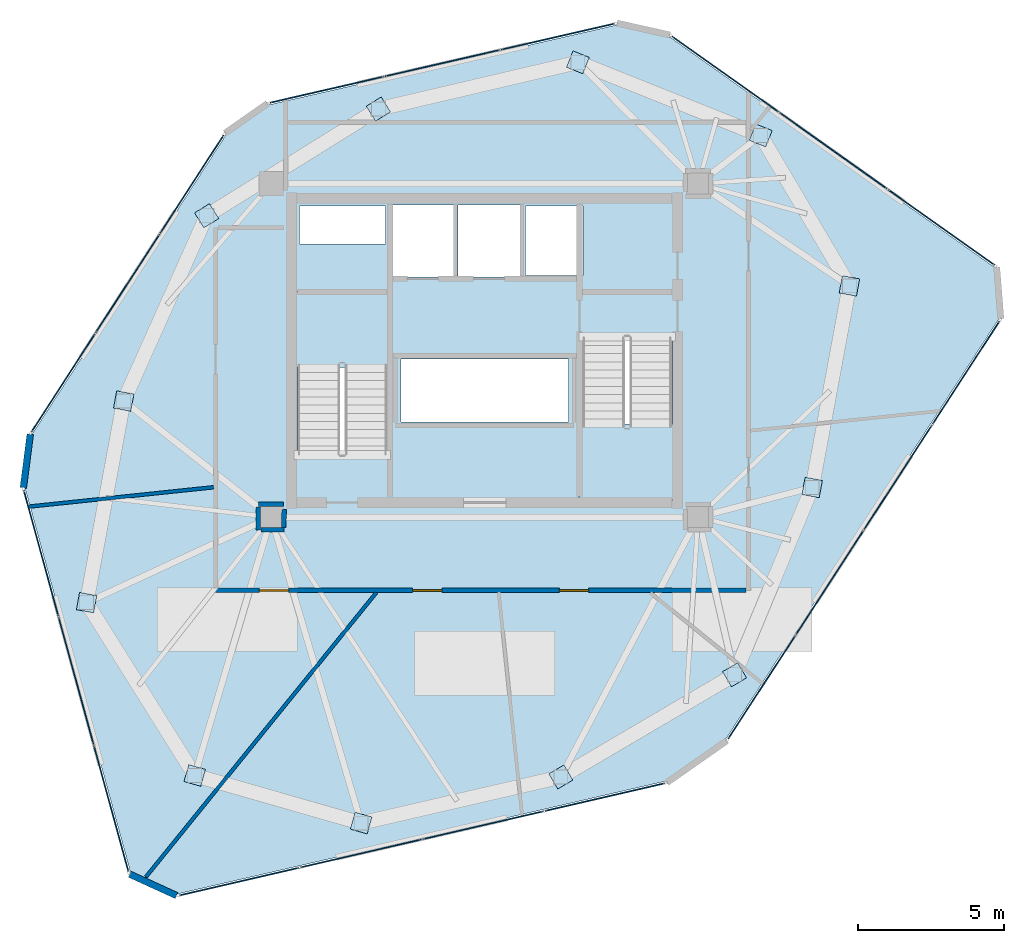
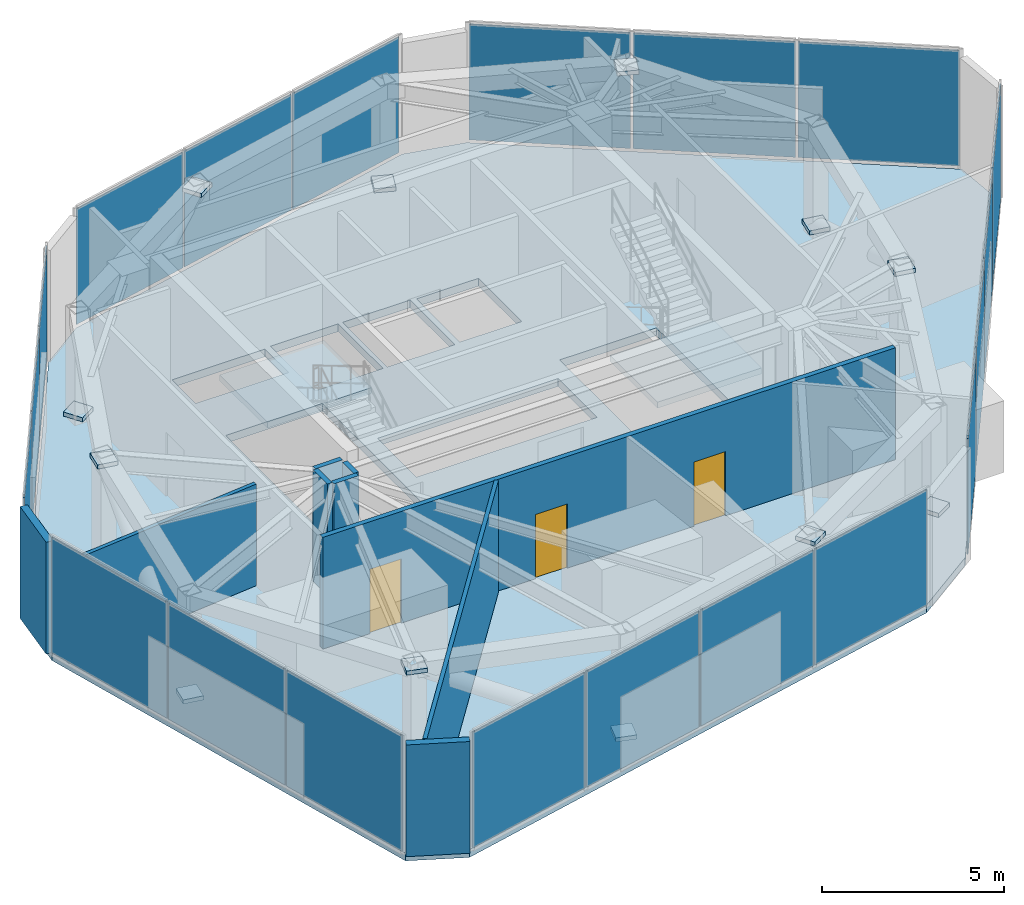
# One storey, part 17 of 21: 32 plates, 9 walls, 3 doors, 3 slabs, 3 openings, 8 elements without a shape of their own.
"""IFC4 building model written with IfcOpenShell, lengths in metres."""

from ifc_helpers import new_model, si_unit, direction, frame, frame_2d, origin, origin_2d, place, context, subcontext, project, spatial, polyline, rectangle, outline, extrude, source, transform, mapped, material, layer, layer_set, type_object, type_shapes, element, fill, aggregate, save


model = new_model("IFC4")

# Units and contexts
model_context = context("Model", 3, precision=1e-05, world=origin(), true_north=direction((0.0, 1.0)))
body_context = subcontext(model_context, "Body", "Model", "MODEL_VIEW")
ifc_project = project(units=[si_unit("LENGTHUNIT", "METRE"), si_unit("AREAUNIT", "SQUARE_METRE"), si_unit("VOLUMEUNIT", "CUBIC_METRE"), si_unit("PLANEANGLEUNIT", "RADIAN"), si_unit("MASSUNIT", "GRAM", prefix="KILO")], contexts=[model_context])

# Site, building, storey
site_placement = place(None, origin())
site = spatial("IfcSite", under=ifc_project, at=site_placement, CompositionType="ELEMENT")
building_placement = place(site_placement, origin())
building = spatial("IfcBuilding", under=site, at=building_placement, Name="Talar Marvaseh", CompositionType="ELEMENT")
storey_placement = place(building_placement, frame((0.0, 0.0, 304.0)))
storey = spatial("IfcBuildingStorey", under=building, at=storey_placement, Name="L81", CompositionType="ELEMENT", Elevation=304.0)

# Stair, slab
ifc_material_1 = material(Name="Concrete C40/50", Category="concrete")
stair_type = type_object("IfcStairType", Name="Reinforced Concrete High-Rise Exit Stair Type C", PredefinedType="HALF_TURN_STAIR", material=ifc_material_1)
stair_1_placement = place(storey_placement, origin())
stair_1 = element("IfcStair", 1, at=stair_1_placement, inside=storey, type_object=stair_type, Name="L81 Tower West Core Exit Stair", PredefinedType="HALF_TURN_STAIR")
ifc_layer_1 = layer(ifc_material_1, 0.199951171875)
ifc_layer_set_1 = layer_set([ifc_layer_1], Name="Concrete C40/50")
slab_type_1 = type_object("IfcSlabType", Name="Reinforced Concrete Stair Half-Landing Slab 200", PredefinedType="LANDING", material=ifc_layer_set_1)
slab_1_placement = place(storey_placement, frame((0.0, 0.0, 1.800048828125)))
slab_1 = element("IfcSlab", 2, at=slab_1_placement, type_object=slab_type_1, Name="ST-1 landing 1", PredefinedType="LANDING", context=body_context, shape_type="SweptSolid", body=[
    extrude(outline(polyline([(22.780029296875, 30.610107421875), (22.780029296875, 33.219970703125), (19.47998046875, 33.219970703125), (19.47998046875, 30.610107421875), (22.780029296875, 30.610107421875)])), origin(), (0.0, 0.0, 1.0), 0.199951171875),
])
aggregate(stair_1, [slab_1])

stair_2_placement = place(storey_placement, origin())
stair_2 = element("IfcStair", 3, at=stair_2_placement, inside=storey, type_object=stair_type, Name="L81 Tower East Core Exit Stair", PredefinedType="HALF_TURN_STAIR")
slab_2_placement = place(storey_placement, frame((0.0, 0.0, 1.800048828125)))
slab_2 = element("IfcSlab", 4, at=slab_2_placement, type_object=slab_type_1, Name="ST-2 landing 1", PredefinedType="LANDING", context=body_context, shape_type="SweptSolid", body=[
    extrude(outline(polyline([(29.219970703125, 28.68994140625), (29.219970703125, 26.080078125), (32.52001953125, 26.080078125), (32.52001953125, 28.68994140625), (29.219970703125, 28.68994140625)])), origin(), (0.0, 0.0, 1.0), 0.199951171875),
])
aggregate(stair_2, [slab_2])

# Slab
ifc_layer_2 = layer(ifc_material_1, 0.260009765625)
ifc_layer_set_2 = layer_set([ifc_layer_2], Name="Concrete C40/50")
slab_type_2 = type_object("IfcSlabType", Name="Structural Suspended Floor Slab 260", PredefinedType="FLOOR", material=ifc_layer_set_2)
slab_3_placement = place(storey_placement, frame((0.0, 0.0, -0.260009765625)))
element("IfcSlab", 5, at=slab_3_placement, inside=storey, type_object=slab_type_2, Name="L81 Tower Floor Slab", PredefinedType="FLOOR", context=body_context, shape_type="SweptSolid", body=[
    extrude(outline(polyline([(15.48974609375, 12.6123046875), (13.890869140625, 13.343505859375), (10.282470703125, 26.491943359375), (10.520751953125, 28.3330078125), (17.156494140625, 38.57763671875), (18.614990234375, 39.59912109375), (30.511474609375, 42.33056640625), (32.322998046875, 41.9248046875), (43.4443359375, 34.037109375), (43.584716796875, 32.28466796875), (34.244384765625, 17.906982421875), (32.194580078125, 16.4716796875), (15.48974609375, 12.6123046875)]), holes=[polyline([(22.659912109375, 27.64990234375), (22.659912109375, 33.10009765625), (19.60009765625, 33.10009765625), (19.60009765625, 27.64990234375), (22.659912109375, 27.64990234375)]), polyline([(29.340087890625, 31.64990234375), (29.340087890625, 26.199951171875), (32.39990234375, 26.199951171875), (32.39990234375, 31.64990234375), (29.340087890625, 31.64990234375)]), polyline([(22.800048828125, 33.719970703125), (24.93994140625, 33.719970703125), (24.93994140625, 36.179931640625), (22.800048828125, 36.179931640625), (22.800048828125, 33.719970703125)]), polyline([(25.080078125, 33.719970703125), (27.219970703125, 33.719970703125), (27.219970703125, 36.179931640625), (25.080078125, 36.179931640625), (25.080078125, 33.719970703125)]), polyline([(19.659912109375, 34.840087890625), (22.60009765625, 34.840087890625), (22.60009765625, 36.139892578125), (19.659912109375, 36.139892578125), (19.659912109375, 34.840087890625)]), polyline([(27.39990234375, 33.760009765625), (29.360107421875, 33.760009765625), (29.360107421875, 36.139892578125), (27.39990234375, 36.139892578125), (27.39990234375, 33.760009765625)]), polyline([(23.139892578125, 28.760009765625), (28.860107421875, 28.760009765625), (28.860107421875, 30.89990234375), (23.139892578125, 30.89990234375), (23.139892578125, 28.760009765625)])]), origin(), (0.0, 0.0, 1.0), 0.260009765625),
])

# Plates
ifc_material_2 = material(Name="Steel S460", Category="steel")
ifc_layer_3 = layer(ifc_material_2, 0.030029296875)
ifc_layer_set_3 = layer_set([ifc_layer_3], Name="Steel S460")
plate_type_1 = type_object("IfcPlateType", Name="Heavy Box End Closure Cap Plate 30", PredefinedType="USERDEFINED", material=ifc_layer_set_3)
shared_shape_1 = source(origin(), body_context, "Body", "SweptSolid", [
    extrude(rectangle(XDim=0.60009765625, YDim=0.60009765625, at=origin_2d()), origin(), (0.0, 0.0, 1.0), 0.139892578125),
])
type_shapes(plate_type_1, [shared_shape_1])
for number, where, z_axis, x_axis, name in (
    (6, (12.388916015625, 22.576904296875, 0.18017578125), (0.0, 0.0, 1.0), (0.180519145251, 0.983571470813, 0.0), "L81 Hollow Member End Cap Plate"),
    (7, (13.657958984375, 29.469970703125, 3.419921875), (0.0, 0.0, 1.0), (0.180519145251, 0.983571470813, 0.0), "L81 Hollow Member End Cap Plate"),
    (8, (16.493896484375, 35.806884765625, 0.18017578125), (0.0, 0.0, 1.0), (0.849892692987, 0.526955795497, 0.0), "L81 Hollow Member End Cap Plate"),
    (9, (22.364990234375, 39.4541015625, 3.419921875), (0.0, 0.0, 1.0), (0.849892692987, 0.526955795497, 0.0), "L81 Hollow Member End Cap Plate"),
    (10, (29.18798828125, 41.052001953125, 0.18017578125), (0.0, 0.0, 1.0), (0.928485826881, -0.37136783555, 0.0), "L81 Hollow Member End Cap Plate"),
    (11, (35.43798828125, 38.551025390625, 3.419921875), (0.0, 0.0, 1.0), (0.928485826881, -0.37136783555, 0.0), "L81 Hollow Member End Cap Plate"),
    (12, (38.470947265625, 33.406005859375, 0.18017578125), (0.0, 0.0, 1.0), (-0.182235525492, -0.983254907564, 0.0), "L81 Hollow Member End Cap Plate"),
    (13, (37.197021484375, 26.513916015625, 3.419921875), (0.0, 0.0, 1.0), (-0.182235525492, -0.983254907564, 0.0), "L81 Hollow Member End Cap Plate"),
    (14, (34.5439453125, 20.111083984375, 0.18017578125), (0.0, 0.0, 1.0), (-0.861629160442, -0.507538362961, 0.0), "L81 Hollow Member End Cap Plate"),
    (15, (28.60498046875, 16.616943359375, 3.419921875), (0.0, 0.0, 1.0), (-0.861629160442, -0.507538362961, 0.0), "L81 Hollow Member End Cap Plate"),
    (16, (21.77587890625, 15.0400390625, 0.18017578125), (0.0, 0.0, 1.0), (-0.961261695938, 0.275637355817, 0.0), "L81 Hollow Member End Cap Plate"),
    (17, (16.0869140625, 16.66796875, 3.419921875), (0.0, 0.0, 1.0), (-0.961261695938, 0.275637355817, 0.0), "L81 Hollow Member End Cap Plate"),
):
    element("IfcPlate", number, at=place(storey_placement, frame(where, z_axis=z_axis, x_axis=x_axis)), inside=storey, type_object=plate_type_1, Name=name, ObjectType="CAP_PLATE", PredefinedType="USERDEFINED", context=body_context, shape_type="MappedRepresentation", body=[
        mapped(shared_shape_1, transform((0.0, 0.0, 0.0), x_axis=(1.0, 0.0, 0.0), y_axis=(0.0, 1.0, 0.0), z_axis=(0.0, 0.0, 1.0), scale=1.0)),
    ])

# Curtain wall, plate
ifc_material_3 = material(Name="Architectural Aluminium", Category="aluminium")
ifc_layer_4 = layer(ifc_material_3, 0.2099609375)
ifc_layer_set_4 = layer_set([ifc_layer_4], Name="Architectural Aluminium")
curtain_wall_type = type_object("IfcCurtainWallType", Name="Crown Plant Acoustic Spandrel Curtain Wall", PredefinedType="NOTDEFINED", material=ifc_layer_set_4)
curtain_wall_1_placement = place(storey_placement, origin())
curtain_wall_1 = element("IfcCurtainWall", 18, at=curtain_wall_1_placement, inside=storey, type_object=curtain_wall_type, Name="L81 Crown Plant Acoustic Spandrel Curtain Wall", PredefinedType="NOTDEFINED")
ifc_material_4 = material(Name="Spandrel Insulated Glass", Category="glass")
ifc_layer_5 = layer(ifc_material_4, 0.035888671875)
ifc_layer_set_5 = layer_set([ifc_layer_5], Name="Spandrel Insulated Glass")
plate_type_2 = type_object("IfcPlateType", Name="Insulated Back-Painted Spandrel Curtain Panel 36", PredefinedType="CURTAIN_PANEL", material=ifc_layer_set_5)
shared_shape_2 = source(origin(), body_context, "Body", "SweptSolid", [
    extrude(rectangle(XDim=4.47998046875, YDim=0.035888671875, at=origin_2d()), origin(), (0.0, 0.0, 1.0), 3.8701171875),
])
plate_1_placement = place(storey_placement, frame((12.02880859375, 19.90185546875, 0.06494140625), z_axis=(0.0, 0.0, 1.0), x_axis=(-0.264649312974, 0.964344721115, 0.0)))
plate_1 = element("IfcPlate", 19, at=plate_1_placement, type_object=plate_type_2, Name="CW-CRN panel 2.1", PredefinedType="CURTAIN_PANEL", context=body_context, shape_type="MappedRepresentation", body=[
    mapped(shared_shape_2, transform((0.0, 0.0, 0.0), x_axis=(1.0, 0.0, 0.0), y_axis=(0.0, 1.0, 0.0), z_axis=(0.0, 0.0, 1.0), scale=1.0)),
])

curtain_wall_2_placement = place(storey_placement, origin())
curtain_wall_2 = element("IfcCurtainWall", 20, at=curtain_wall_2_placement, inside=storey, type_object=curtain_wall_type, Name="L81 Crown Plant Acoustic Spandrel Curtain Wall", PredefinedType="NOTDEFINED")
plate_2_placement = place(storey_placement, frame((37.91845703125, 38.02978515625, 0.06494140625), z_axis=(0.0, 0.0, 1.0), x_axis=(0.815673489833, -0.578512539176, 0.0)))
plate_2 = element("IfcPlate", 21, at=plate_2_placement, type_object=plate_type_2, Name="CW-CRN panel 2.1", PredefinedType="CURTAIN_PANEL", context=body_context, shape_type="MappedRepresentation", body=[
    mapped(shared_shape_2, transform((0.0, 0.0, 0.0), x_axis=(1.0, 0.0, 0.0), y_axis=(0.0, 1.0, 0.0), z_axis=(0.0, 0.0, 1.0), scale=1.0)),
])

# Curtain wall, plates
curtain_wall_3_placement = place(storey_placement, origin())
curtain_wall_3 = element("IfcCurtainWall", 22, at=curtain_wall_3_placement, inside=storey, type_object=curtain_wall_type, Name="L81 Crown Plant Acoustic Spandrel Curtain Wall", PredefinedType="NOTDEFINED")
shared_shape_3 = source(origin(), body_context, "Body", "SweptSolid", [
    extrude(rectangle(XDim=3.97119140625, YDim=0.035888671875, at=origin_2d()), origin(), (0.0, 0.0, 1.0), 3.8701171875),
])
plate_3_placement = place(storey_placement, frame((11.585205078125, 30.086669921875, 0.06494140625), z_axis=(0.0, 0.0, 1.0), x_axis=(0.543646288387, 0.839314430427, 0.0)))
plate_3 = element("IfcPlate", 23, at=plate_3_placement, type_object=plate_type_2, Name="CW-CRN panel 1.1", PredefinedType="CURTAIN_PANEL", context=body_context, shape_type="MappedRepresentation", body=[
    mapped(shared_shape_3, transform((0.0, 0.0, 0.0), x_axis=(1.0, 0.0, 0.0), y_axis=(0.0, 1.0, 0.0), z_axis=(0.0, 0.0, 1.0), scale=1.0)),
])
plate_4_placement = place(storey_placement, frame((15.9912109375, 36.88916015625, 0.06494140625), z_axis=(0.0, 0.0, 1.0), x_axis=(0.543646288387, 0.839314430427, 0.0)))
plate_4 = element("IfcPlate", 24, at=plate_4_placement, type_object=plate_type_2, Name="CW-CRN panel 3.1", PredefinedType="CURTAIN_PANEL", context=body_context, shape_type="MappedRepresentation", body=[
    mapped(shared_shape_3, transform((0.0, 0.0, 0.0), x_axis=(1.0, 0.0, 0.0), y_axis=(0.0, 1.0, 0.0), z_axis=(0.0, 0.0, 1.0), scale=1.0)),
])

curtain_wall_4_placement = place(storey_placement, origin())
curtain_wall_4 = element("IfcCurtainWall", 25, at=curtain_wall_4_placement, inside=storey, type_object=curtain_wall_type, Name="L81 Crown Plant Acoustic Spandrel Curtain Wall", PredefinedType="NOTDEFINED")
plate_5_placement = place(storey_placement, frame((20.60009765625, 40.116455078125, 0.06494140625), z_axis=(0.0, 0.0, 1.0), x_axis=(0.974636944465, 0.223791926761, 0.0)))
plate_5 = element("IfcPlate", 26, at=plate_5_placement, type_object=plate_type_2, Name="CW-CRN panel 1.1", PredefinedType="CURTAIN_PANEL", context=body_context, shape_type="MappedRepresentation", body=[
    mapped(shared_shape_3, transform((0.0, 0.0, 0.0), x_axis=(1.0, 0.0, 0.0), y_axis=(0.0, 1.0, 0.0), z_axis=(0.0, 0.0, 1.0), scale=1.0)),
])
plate_6_placement = place(storey_placement, frame((28.49951171875, 41.93017578125, 0.06494140625), z_axis=(0.0, 0.0, 1.0), x_axis=(0.974636944465, 0.223791926761, 0.0)))
plate_6 = element("IfcPlate", 27, at=plate_6_placement, type_object=plate_type_2, Name="CW-CRN panel 3.1", PredefinedType="CURTAIN_PANEL", context=body_context, shape_type="MappedRepresentation", body=[
    mapped(shared_shape_3, transform((0.0, 0.0, 0.0), x_axis=(1.0, 0.0, 0.0), y_axis=(0.0, 1.0, 0.0), z_axis=(0.0, 0.0, 1.0), scale=1.0)),
])

# Plate
shared_shape_4 = source(origin(), body_context, "Body", "SweptSolid", [
    extrude(rectangle(XDim=4.003662109375, YDim=0.035888671875, at=origin_2d()), origin(), (0.0, 0.0, 1.0), 3.8701171875),
])
plate_7_placement = place(storey_placement, frame((13.788330078125, 33.488037109375, 0.06494140625), z_axis=(0.0, 0.0, 1.0), x_axis=(0.543646288387, 0.839314430427, 0.0)))
plate_7 = element("IfcPlate", 28, at=plate_7_placement, type_object=plate_type_2, Name="CW-CRN panel 2.1", PredefinedType="CURTAIN_PANEL", context=body_context, shape_type="MappedRepresentation", body=[
    mapped(shared_shape_4, transform((0.0, 0.0, 0.0), x_axis=(1.0, 0.0, 0.0), y_axis=(0.0, 1.0, 0.0), z_axis=(0.0, 0.0, 1.0), scale=1.0)),
])

aggregate(curtain_wall_3, [plate_3, plate_7, plate_4])

plate_8_placement = place(storey_placement, frame((24.5498046875, 41.023193359375, 0.06494140625), z_axis=(0.0, 0.0, 1.0), x_axis=(0.974636944465, 0.223791926761, 0.0)))
plate_8 = element("IfcPlate", 29, at=plate_8_placement, type_object=plate_type_2, Name="CW-CRN panel 2.1", PredefinedType="CURTAIN_PANEL", context=body_context, shape_type="MappedRepresentation", body=[
    mapped(shared_shape_4, transform((0.0, 0.0, 0.0), x_axis=(1.0, 0.0, 0.0), y_axis=(0.0, 1.0, 0.0), z_axis=(0.0, 0.0, 1.0), scale=1.0)),
])

aggregate(curtain_wall_4, [plate_5, plate_8, plate_6])

# Curtain wall, plates
curtain_wall_5_placement = place(storey_placement, origin())
curtain_wall_5 = element("IfcCurtainWall", 30, at=curtain_wall_5_placement, inside=storey, type_object=curtain_wall_type, Name="L81 Crown Plant Acoustic Spandrel Curtain Wall", PredefinedType="NOTDEFINED")
shared_shape_5 = source(origin(), body_context, "Body", "SweptSolid", [
    extrude(rectangle(XDim=4.188720703125, YDim=0.035888671875, at=origin_2d()), origin(), (0.0, 0.0, 1.0), 3.8701171875),
])
plate_9_placement = place(storey_placement, frame((42.45849609375, 30.441162109375, 0.06494140625), z_axis=(0.0, 0.0, 1.0), x_axis=(-0.544769379387, -0.838585906919, 0.0)))
plate_9 = element("IfcPlate", 31, at=plate_9_placement, type_object=plate_type_2, Name="CW-CRN panel 1.1", PredefinedType="CURTAIN_PANEL", context=body_context, shape_type="MappedRepresentation", body=[
    mapped(shared_shape_5, transform((0.0, 0.0, 0.0), x_axis=(1.0, 0.0, 0.0), y_axis=(0.0, 1.0, 0.0), z_axis=(0.0, 0.0, 1.0), scale=1.0)),
])
plate_10_placement = place(storey_placement, frame((35.47119140625, 19.68505859375, 0.06494140625), z_axis=(0.0, 0.0, 1.0), x_axis=(-0.544769379387, -0.838585906919, 0.0)))
plate_10 = element("IfcPlate", 32, at=plate_10_placement, type_object=plate_type_2, Name="CW-CRN panel 4.1", PredefinedType="CURTAIN_PANEL", context=body_context, shape_type="MappedRepresentation", body=[
    mapped(shared_shape_5, transform((0.0, 0.0, 0.0), x_axis=(1.0, 0.0, 0.0), y_axis=(0.0, 1.0, 0.0), z_axis=(0.0, 0.0, 1.0), scale=1.0)),
])

curtain_wall_6_placement = place(storey_placement, origin())
curtain_wall_6 = element("IfcCurtainWall", 33, at=curtain_wall_6_placement, inside=storey, type_object=curtain_wall_type, Name="L81 Crown Plant Acoustic Spandrel Curtain Wall", PredefinedType="NOTDEFINED")
plate_11_placement = place(storey_placement, frame((30.104248046875, 15.927001953125, 0.06494140625), z_axis=(0.0, 0.0, 1.0), x_axis=(-0.974334936397, -0.225103157943, 0.0)))
plate_11 = element("IfcPlate", 34, at=plate_11_placement, type_object=plate_type_2, Name="CW-CRN panel 1.1", PredefinedType="CURTAIN_PANEL", context=body_context, shape_type="MappedRepresentation", body=[
    mapped(shared_shape_5, transform((0.0, 0.0, 0.0), x_axis=(1.0, 0.0, 0.0), y_axis=(0.0, 1.0, 0.0), z_axis=(0.0, 0.0, 1.0), scale=1.0)),
])
plate_12_placement = place(storey_placement, frame((17.607177734375, 13.039794921875, 0.06494140625), z_axis=(0.0, 0.0, 1.0), x_axis=(-0.974334936397, -0.225103157943, 0.0)))
plate_12 = element("IfcPlate", 35, at=plate_12_placement, type_object=plate_type_2, Name="CW-CRN panel 4.1", PredefinedType="CURTAIN_PANEL", context=body_context, shape_type="MappedRepresentation", body=[
    mapped(shared_shape_5, transform((0.0, 0.0, 0.0), x_axis=(1.0, 0.0, 0.0), y_axis=(0.0, 1.0, 0.0), z_axis=(0.0, 0.0, 1.0), scale=1.0)),
])

# Plate
shared_shape_6 = source(origin(), body_context, "Body", "SweptSolid", [
    extrude(rectangle(XDim=4.22119140625, YDim=0.035888671875, at=origin_2d()), origin(), (0.0, 0.0, 1.0), 3.8701171875),
])
plate_13_placement = place(storey_placement, frame((40.13232421875, 26.8603515625, 0.06494140625), z_axis=(0.0, 0.0, 1.0), x_axis=(-0.544769379387, -0.838585906919, 0.0)))
plate_13 = element("IfcPlate", 36, at=plate_13_placement, type_object=plate_type_2, Name="CW-CRN panel 2.1", PredefinedType="CURTAIN_PANEL", context=body_context, shape_type="MappedRepresentation", body=[
    mapped(shared_shape_6, transform((0.0, 0.0, 0.0), x_axis=(1.0, 0.0, 0.0), y_axis=(0.0, 1.0, 0.0), z_axis=(0.0, 0.0, 1.0), scale=1.0)),
])

plate_14_placement = place(storey_placement, frame((37.79736328125, 23.265869140625, 0.06494140625), z_axis=(0.0, 0.0, 1.0), x_axis=(-0.544769379387, -0.838585906919, 0.0)))
plate_14 = element("IfcPlate", 37, at=plate_14_placement, type_object=plate_type_2, Name="CW-CRN panel 3.1", PredefinedType="CURTAIN_PANEL", context=body_context, shape_type="MappedRepresentation", body=[
    mapped(shared_shape_6, transform((0.0, 0.0, 0.0), x_axis=(1.0, 0.0, 0.0), y_axis=(0.0, 1.0, 0.0), z_axis=(0.0, 0.0, 1.0), scale=1.0)),
])

aggregate(curtain_wall_5, [plate_9, plate_13, plate_14, plate_10])

plate_15_placement = place(storey_placement, frame((25.94384765625, 14.9658203125, 0.06494140625), z_axis=(0.0, 0.0, 1.0), x_axis=(-0.974334936397, -0.225103157943, 0.0)))
plate_15 = element("IfcPlate", 38, at=plate_15_placement, type_object=plate_type_2, Name="CW-CRN panel 2.1", PredefinedType="CURTAIN_PANEL", context=body_context, shape_type="MappedRepresentation", body=[
    mapped(shared_shape_6, transform((0.0, 0.0, 0.0), x_axis=(1.0, 0.0, 0.0), y_axis=(0.0, 1.0, 0.0), z_axis=(0.0, 0.0, 1.0), scale=1.0)),
])

plate_16_placement = place(storey_placement, frame((21.767578125, 14.0009765625, 0.06494140625), z_axis=(0.0, 0.0, 1.0), x_axis=(-0.974334936397, -0.225103157943, 0.0)))
plate_16 = element("IfcPlate", 39, at=plate_16_placement, type_object=plate_type_2, Name="CW-CRN panel 3.1", PredefinedType="CURTAIN_PANEL", context=body_context, shape_type="MappedRepresentation", body=[
    mapped(shared_shape_6, transform((0.0, 0.0, 0.0), x_axis=(1.0, 0.0, 0.0), y_axis=(0.0, 1.0, 0.0), z_axis=(0.0, 0.0, 1.0), scale=1.0)),
])

aggregate(curtain_wall_6, [plate_11, plate_15, plate_16, plate_12])

shared_shape_7 = source(origin(), body_context, "Body", "SweptSolid", [
    extrude(rectangle(XDim=4.447265625, YDim=0.035888671875, at=origin_2d()), origin(), (0.0, 0.0, 1.0), 3.8701171875),
])
type_shapes(plate_type_2, [shared_shape_2, shared_shape_3, shared_shape_4, shared_shape_5, shared_shape_6, shared_shape_7])
plate_17_placement = place(storey_placement, frame((13.227294921875, 15.53466796875, 0.06494140625), z_axis=(0.0, 0.0, 1.0), x_axis=(-0.264649312974, 0.964344721115, 0.0)))
plate_17 = element("IfcPlate", 40, at=plate_17_placement, type_object=plate_type_2, Name="CW-CRN panel 1.1", PredefinedType="CURTAIN_PANEL", context=body_context, shape_type="MappedRepresentation", body=[
    mapped(shared_shape_7, transform((0.0, 0.0, 0.0), x_axis=(1.0, 0.0, 0.0), y_axis=(0.0, 1.0, 0.0), z_axis=(0.0, 0.0, 1.0), scale=1.0)),
])

plate_18_placement = place(storey_placement, frame((10.830322265625, 24.268798828125, 0.06494140625), z_axis=(0.0, 0.0, 1.0), x_axis=(-0.264649312974, 0.964344721115, 0.0)))
plate_18 = element("IfcPlate", 41, at=plate_18_placement, type_object=plate_type_2, Name="CW-CRN panel 3.1", PredefinedType="CURTAIN_PANEL", context=body_context, shape_type="MappedRepresentation", body=[
    mapped(shared_shape_7, transform((0.0, 0.0, 0.0), x_axis=(1.0, 0.0, 0.0), y_axis=(0.0, 1.0, 0.0), z_axis=(0.0, 0.0, 1.0), scale=1.0)),
])

aggregate(curtain_wall_1, [plate_17, plate_1, plate_18])

plate_19_placement = place(storey_placement, frame((34.224609375, 40.649658203125, 0.06494140625), z_axis=(0.0, 0.0, 1.0), x_axis=(0.815673489833, -0.578512539176, 0.0)))
plate_19 = element("IfcPlate", 42, at=plate_19_placement, type_object=plate_type_2, Name="CW-CRN panel 1.1", PredefinedType="CURTAIN_PANEL", context=body_context, shape_type="MappedRepresentation", body=[
    mapped(shared_shape_7, transform((0.0, 0.0, 0.0), x_axis=(1.0, 0.0, 0.0), y_axis=(0.0, 1.0, 0.0), z_axis=(0.0, 0.0, 1.0), scale=1.0)),
])

plate_20_placement = place(storey_placement, frame((41.6123046875, 35.409912109375, 0.06494140625), z_axis=(0.0, 0.0, 1.0), x_axis=(0.815673489833, -0.578512539176, 0.0)))
plate_20 = element("IfcPlate", 43, at=plate_20_placement, type_object=plate_type_2, Name="CW-CRN panel 3.1", PredefinedType="CURTAIN_PANEL", context=body_context, shape_type="MappedRepresentation", body=[
    mapped(shared_shape_7, transform((0.0, 0.0, 0.0), x_axis=(1.0, 0.0, 0.0), y_axis=(0.0, 1.0, 0.0), z_axis=(0.0, 0.0, 1.0), scale=1.0)),
])

aggregate(curtain_wall_2, [plate_19, plate_2, plate_20])

# Walls
ifc_material_5 = material(Name="Precast concrete C45/55", Category="concrete")
ifc_layer_6 = layer(ifc_material_5, 0.22509765625)
ifc_layer_set_6 = layer_set([ifc_layer_6], Name="Precast concrete C45/55")
wall_type_1 = type_object("IfcWallType", Name="Chamfered Hexagonal Corner Pier Wall Z4 225", PredefinedType="SOLIDWALL", material=ifc_layer_set_6)
wall_1_placement = place(storey_placement, frame((15.464599609375, 12.5576171875, 0.0), z_axis=(0.0, 0.0, 1.0), x_axis=(-0.909388933768, 0.415946832107, 0.0)))
element("IfcWall", 44, at=wall_1_placement, inside=storey, type_object=wall_type_1, Name="L81 Chamfered Corner Limestone Pier 1", PredefinedType="SOLIDWALL", context=body_context, shape_type="SweptSolid", body=[
    extrude(rectangle(XDim=1.7578125, YDim=0.22509765625, at=frame_2d((0.87890625, 0.0))), origin(), (0.0, 0.0, 1.0), 3.739990234375),
])
wall_2_placement = place(storey_placement, frame((10.222900390625, 26.49951171875, 0.0), z_axis=(0.0, 0.0, 1.0), x_axis=(0.128338490171, 0.991730423019, 0.0)))
element("IfcWall", 45, at=wall_2_placement, inside=storey, type_object=wall_type_1, Name="L81 Chamfered Corner Limestone Pier 2", PredefinedType="SOLIDWALL", context=body_context, shape_type="SweptSolid", body=[
    extrude(rectangle(XDim=1.856689453125, YDim=0.22509765625, at=frame_2d((0.92822265625, 0.0))), origin(), (0.0, 0.0, 1.0), 3.739990234375),
])

# Wall, openings, doors
ifc_material_6 = material(Name="Gypsum Board Partition Assembly")
ifc_layer_7 = layer(ifc_material_6, 0.155029296875)
ifc_layer_set_7 = layer_set([ifc_layer_7], Name="Gypsum Board Partition Assembly")
wall_type_2 = type_object("IfcWallType", Name="Corridor Fire-Rated Acoustic Partition 155", PredefinedType="PARTITIONING", material=ifc_layer_set_7)
wall_3_placement = place(storey_placement, frame((34.9365234375, 23.0, 0.0), z_axis=(0.0, 0.0, 1.0), x_axis=(-1.0, 0.0, 0.0)))
wall_3 = element("IfcWall", 46, at=wall_3_placement, inside=storey, type_object=wall_type_2, Name="L81 Interior Partition Wall", PredefinedType="PARTITIONING", context=body_context, shape_type="SweptSolid", body=[
    extrude(rectangle(XDim=18.136474609375, YDim=0.155029296875, at=frame_2d((9.068359375, 0.0))), origin(), (0.0, 0.0, 1.0), 3.739990234375),
])
opening_1_placement = place(wall_3_placement, frame((15.642822265625, 0.0, 0.0)))
opening_1 = element("IfcOpeningElement", 47, at=opening_1_placement, cuts=wall_3, Name="Opening DR-RM100", PredefinedType="OPENING", context=body_context, shape_type="SweptSolid", body=[
    extrude(rectangle(XDim=1.0, YDim=2.14990234375, at=frame_2d((0.5, 1.074951171875))), frame((0.0, 0.08740234375, 0.0), z_axis=(0.0, -1.0, 0.0), x_axis=(1.0, 0.0, 0.0)), (0.0, 0.0, 1.0), 0.175048828125),
])
opening_2_placement = place(wall_3_placement, frame((10.396728515625, 0.0, 0.0)))
opening_2 = element("IfcOpeningElement", 48, at=opening_2_placement, cuts=wall_3, Name="Opening DR-RM100", PredefinedType="OPENING", context=body_context, shape_type="SweptSolid", body=[
    extrude(rectangle(XDim=1.0, YDim=2.14990234375, at=frame_2d((0.5, 1.074951171875))), frame((0.0, 0.08740234375, 0.0), z_axis=(0.0, -1.0, 0.0), x_axis=(1.0, 0.0, 0.0)), (0.0, 0.0, 1.0), 0.175048828125),
])
opening_3_placement = place(wall_3_placement, frame((5.380126953125, 0.0, 0.0)))
opening_3 = element("IfcOpeningElement", 49, at=opening_3_placement, cuts=wall_3, Name="Opening DR-RM100", PredefinedType="OPENING", context=body_context, shape_type="SweptSolid", body=[
    extrude(rectangle(XDim=1.0, YDim=2.14990234375, at=frame_2d((0.5, 1.074951171875))), frame((0.0, 0.08740234375, 0.0), z_axis=(0.0, -1.0, 0.0), x_axis=(1.0, 0.0, 0.0)), (0.0, 0.0, 1.0), 0.175048828125),
])
ifc_material_7 = material(Name="Acoustic Engineered Oak Timber", Category="wood")
door_type = type_object("IfcDoorType", Name="Corridor Fire-Rated Gallery Door 1000x2150", OperationType="NOTDEFINED", PredefinedType="DOOR", material=ifc_material_7)
shared_shape_8 = source(origin(), body_context, "Body", "SweptSolid", [
    extrude(rectangle(XDim=1.0, YDim=2.14990234375, at=frame_2d((0.5, 1.074951171875))), frame((0.0, 0.02490234375, 0.0), z_axis=(0.0, -1.0, 0.0), x_axis=(1.0, 0.0, 0.0)), (0.0, 0.0, 1.0), 0.050048828125),
])
type_shapes(door_type, [shared_shape_8])
door_1_placement = place(opening_1_placement, origin())
door_1 = element("IfcDoor", 50, at=door_1_placement, inside=storey, type_object=door_type, Name="L81 Chiller and Cooling Plant Room Door", OperationType="SINGLE_SWING_RIGHT", OverallHeight=2.14990234375, OverallWidth=1.0, PredefinedType="DOOR", context=body_context, shape_type="MappedRepresentation", body=[
    mapped(shared_shape_8, transform((0.0, 0.0, 0.0), x_axis=(1.0, 0.0, 0.0), y_axis=(0.0, 1.0, 0.0), z_axis=(0.0, 0.0, 1.0), scale=1.0)),
])
fill(opening_1, door_1)
door_2_placement = place(opening_2_placement, origin())
door_2 = element("IfcDoor", 51, at=door_2_placement, inside=storey, type_object=door_type, Name="L81 AHU Ventilation Plant Room Door", OperationType="SINGLE_SWING_LEFT", OverallHeight=2.14990234375, OverallWidth=1.0, PredefinedType="DOOR", context=body_context, shape_type="MappedRepresentation", body=[
    mapped(shared_shape_8, transform((0.0, 0.0, 0.0), x_axis=(1.0, 0.0, 0.0), y_axis=(0.0, 1.0, 0.0), z_axis=(0.0, 0.0, 1.0), scale=1.0)),
])
fill(opening_2, door_2)
door_3_placement = place(opening_3_placement, origin())
door_3 = element("IfcDoor", 52, at=door_3_placement, inside=storey, type_object=door_type, Name="L81 Fire and Domestic Water Pump Plant Room Door", OperationType="SINGLE_SWING_RIGHT", OverallHeight=2.14990234375, OverallWidth=1.0, PredefinedType="DOOR", context=body_context, shape_type="MappedRepresentation", body=[
    mapped(shared_shape_8, transform((0.0, 0.0, 0.0), x_axis=(1.0, 0.0, 0.0), y_axis=(0.0, 1.0, 0.0), z_axis=(0.0, 0.0, 1.0), scale=1.0)),
])
fill(opening_3, door_3)

# Walls
wall_4_placement = place(storey_placement, frame((19.125, 25.93994140625, 0.0), z_axis=(0.0, 0.0, 1.0), x_axis=(-0.999986962681, -0.005106316405, 0.0)))
element("IfcWall", 53, at=wall_4_placement, inside=storey, type_object=wall_type_2, Name="L81 Interior Partition Wall", PredefinedType="PARTITIONING", context=body_context, shape_type="SweptSolid", body=[
    extrude(rectangle(XDim=0.860595703125, YDim=0.155029296875, at=frame_2d((0.43017578125, 0.0))), origin(), (0.0, 0.0, 1.0), 3.739990234375),
])
for number, where, z_axis, x_axis, name in (
    (54, (18.264404296875, 25.85205078125, 0.0), (0.0, 0.0, 1.0), (0.0, -1.0, 0.0), "L81 Interior Partition Wall"),
    (55, (18.347900390625, 25.064453125, 0.0), (0.0, 0.0, 1.0), (1.0, 0.0, 0.0), "L81 Interior Partition Wall"),
):
    element("IfcWall", number, at=place(storey_placement, frame(where, z_axis=z_axis, x_axis=x_axis)), inside=storey, type_object=wall_type_2, Name=name, PredefinedType="PARTITIONING", context=body_context, shape_type="SweptSolid", body=[
        extrude(rectangle(XDim=0.78759765625, YDim=0.155029296875, at=frame_2d((0.393798828125, 0.0))), origin(), (0.0, 0.0, 1.0), 3.739990234375),
    ])
wall_5_placement = place(storey_placement, frame((19.135986328125, 25.14794921875, 0.0), z_axis=(0.0, 0.0, 1.0), x_axis=(0.005140303777, 0.999986788551, 0.0)))
element("IfcWall", 56, at=wall_5_placement, inside=storey, type_object=wall_type_2, Name="L81 Interior Partition Wall", PredefinedType="PARTITIONING", context=body_context, shape_type="SweptSolid", body=[
    extrude(rectangle(XDim=0.617431640625, YDim=0.155029296875, at=frame_2d((0.30859375, 0.0))), origin(), (0.0, 0.0, 1.0), 3.739990234375),
])
ifc_layer_8 = layer(ifc_material_6, 0.1201171875)
ifc_layer_set_8 = layer_set([ifc_layer_8], Name="Gypsum Board Partition Assembly")
wall_type_3 = type_object("IfcWallType", Name="Demountable Studio Room Partition 120", PredefinedType="PARTITIONING", material=ifc_layer_set_8)
wall_6_placement = place(storey_placement, frame((22.29248046875, 22.91650390625, 0.0), z_axis=(0.0, 0.0, 1.0), x_axis=(-0.629647274705, -0.776881142425, 0.0)))
element("IfcWall", 57, at=wall_6_placement, inside=storey, type_object=wall_type_3, Name="L81 Interior Partition Wall", PredefinedType="PARTITIONING", context=body_context, shape_type="SweptSolid", body=[
    extrude(rectangle(XDim=12.50927734375, YDim=0.1201171875, at=frame_2d((6.254638671875, 0.0))), origin(), (0.0, 0.0, 1.0), 3.739990234375),
])
wall_7_placement = place(storey_placement, frame((10.4189453125, 25.861083984375, 0.0), z_axis=(0.0, 0.0, 1.0), x_axis=(0.994550856531, 0.104252548041, 0.0)))
element("IfcWall", 58, at=wall_7_placement, inside=storey, type_object=wall_type_3, Name="L81 Interior Partition Wall", PredefinedType="PARTITIONING", context=body_context, shape_type="SweptSolid", body=[
    extrude(rectangle(XDim=6.35107421875, YDim=0.1201171875, at=frame_2d((3.175537109375, 0.0))), origin(), (0.0, 0.0, 1.0), 3.402099609375),
])

save(model, "model.ifc")
